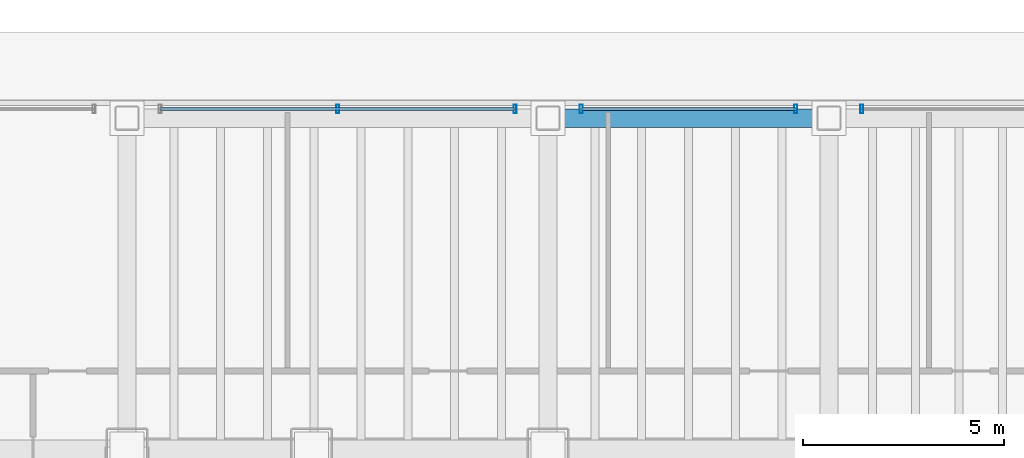
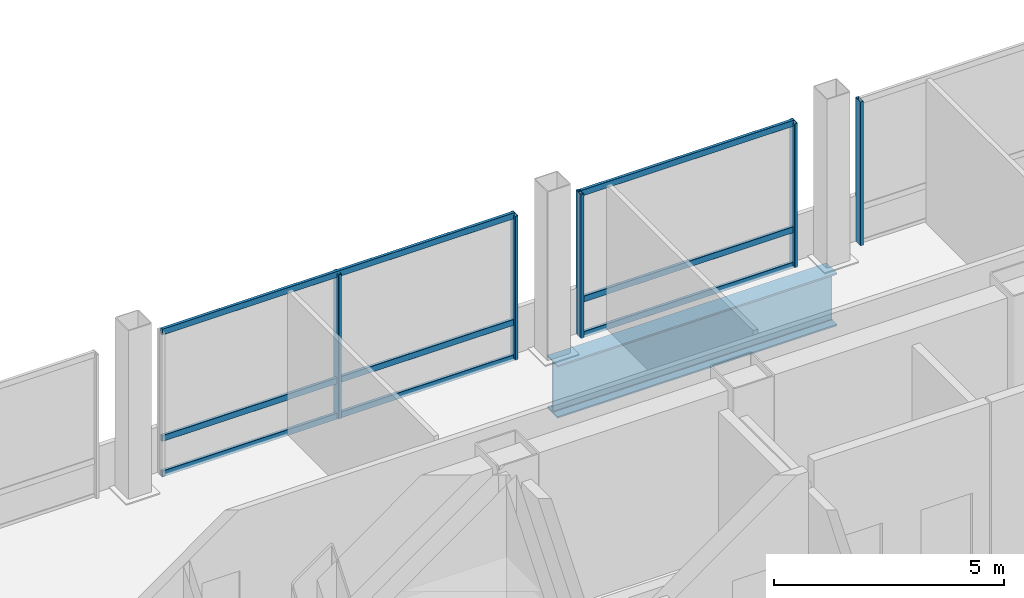
# One storey, part 19 of 34: 11 members, 1 beam, 3 elements without a shape of their own.
"""IFC4 building model written with IfcOpenShell, lengths in metres."""

from ifc_helpers import new_model, si_unit, direction, frame, origin, origin_2d, place, context, subcontext, project, spatial, hollow_rectangle, i_section, extrude, material, material_profile, profile_set, type_object, element, aggregate, save


model = new_model("IFC4")

# Units and contexts
model_context = context("Model", 3, precision=1e-05, world=origin(), true_north=direction((0.0, 1.0)))
body_context = subcontext(model_context, "Body", "Model", "MODEL_VIEW")
ifc_project = project(units=[si_unit("LENGTHUNIT", "METRE"), si_unit("AREAUNIT", "SQUARE_METRE"), si_unit("VOLUMEUNIT", "CUBIC_METRE"), si_unit("PLANEANGLEUNIT", "RADIAN"), si_unit("MASSUNIT", "GRAM", prefix="KILO")], contexts=[model_context])

# Site, building, storey
site_placement = place(None, origin())
site = spatial("IfcSite", under=ifc_project, at=site_placement, CompositionType="ELEMENT")
building_placement = place(site_placement, origin())
building = spatial("IfcBuilding", under=site, at=building_placement, Name="Noeulbin Bourse Tower", CompositionType="ELEMENT")
storey_placement = place(building_placement, frame((0.0, 0.0, 22.0)))
storey = spatial("IfcBuildingStorey", under=building, at=storey_placement, Name="L05", CompositionType="ELEMENT", Elevation=22.0)

# Beam
ifc_material_1 = material(Name="Steel S460", Category="steel")
ifc_material_profile_1 = material_profile(ifc_material_1, i_section(OverallWidth=0.449951171875, OverallDepth=1.39990234375, WebThickness=0.02392578125, FlangeThickness=0.0400390625, FilletRadius=0.02392578125, at=origin_2d()), Name="PG-1400x450x24x40", Category="LoadBearing")
ifc_profile_set_1 = profile_set([ifc_material_profile_1], Name="Steel S460")
beam_type = type_object("IfcBeamType", Name="BM-TRF-1400", PredefinedType="USERDEFINED", material=ifc_profile_set_1)
beam_placement = place(storey_placement, frame((24.0, 46.550048828125, -0.93994140625), z_axis=(1.0, 0.0, 0.0), x_axis=(0.0, 1.0, 0.0)))
element("IfcBeam", 1, at=beam_placement, inside=storey, type_object=beam_type, Name="North Spandrel L05-2", ObjectType="GIRDER", PredefinedType="USERDEFINED", context=body_context, shape_type="SweptSolid", body=[
    extrude(i_section(OverallWidth=0.449951171875, OverallDepth=1.39990234375, WebThickness=0.02392578125, FlangeThickness=0.0400390625, FilletRadius=0.02392578125, at=origin_2d()), origin(), (0.0, 0.0, 1.0), 7.0),
])

# Curtain wall, members
ifc_material_2 = material(Name="Dark Solar-Control Double Glazing", Category="glass")
curtain_wall_type = type_object("IfcCurtainWallType", Name="CW-SYS-2", PredefinedType="NOTDEFINED", material=ifc_material_2)
curtain_wall_1_placement = place(storey_placement, origin())
curtain_wall_1 = element("IfcCurtainWall", 2, at=curtain_wall_1_placement, inside=storey, type_object=curtain_wall_type, Name="Unitised Curtain Wall CW-L05-N-S2", PredefinedType="NOTDEFINED")
ifc_material_3 = material(Name="Anodised Aluminium 6063-T6", Category="aluminium")
ifc_material_profile_2 = material_profile(ifc_material_3, hollow_rectangle(XDim=0.074951171875, YDim=0.219970703125, WallThickness=0.0048828125, InnerFilletRadius=0.00244140625, OuterFilletRadius=0.0048828125, at=origin_2d()), Name="ALU-MULL-75x220x5", Category="LoadBearing")
ifc_profile_set_2 = profile_set([ifc_material_profile_2], Name="Anodised Aluminium 6063-T6")
member_type_1 = type_object("IfcMemberType", Name="CW-SYS-2-MUL", PredefinedType="MULLION", material=ifc_profile_set_2)
member_1_placement = place(storey_placement, frame((18.75, 46.780029296875, -0.02001953125), z_axis=(0.0, 0.0, 1.0), x_axis=(1.0, 0.0, 0.0)))
member_1 = element("IfcMember", 3, at=member_1_placement, type_object=member_type_1, Name="Curtain Wall Mullion CW-L05-N-S2-M01", PredefinedType="MULLION", context=body_context, shape_type="SweptSolid", body=[
    extrude(hollow_rectangle(XDim=0.074951171875, YDim=0.219970703125, WallThickness=0.0048828125, InnerFilletRadius=0.00244140625, OuterFilletRadius=0.0048828125, at=origin_2d()), origin(), (0.0, 0.0, 1.0), 3.820068359375),
])
member_2_placement = place(storey_placement, frame((23.175048828125, 46.780029296875, -0.02001953125), z_axis=(0.0, 0.0, 1.0), x_axis=(1.0, 0.0, 0.0)))
member_2 = element("IfcMember", 4, at=member_2_placement, type_object=member_type_1, Name="Curtain Wall Mullion CW-L05-N-S2-M02", PredefinedType="MULLION", context=body_context, shape_type="SweptSolid", body=[
    extrude(hollow_rectangle(XDim=0.074951171875, YDim=0.219970703125, WallThickness=0.0048828125, InnerFilletRadius=0.00244140625, OuterFilletRadius=0.0048828125, at=origin_2d()), origin(), (0.0, 0.0, 1.0), 3.820068359375),
])

curtain_wall_2_placement = place(storey_placement, origin())
curtain_wall_2 = element("IfcCurtainWall", 5, at=curtain_wall_2_placement, inside=storey, type_object=curtain_wall_type, Name="Unitised Curtain Wall CW-L05-N-S3", PredefinedType="NOTDEFINED")
member_3_placement = place(storey_placement, frame((24.824951171875, 46.780029296875, -0.02001953125), z_axis=(0.0, 0.0, 1.0), x_axis=(1.0, 0.0, 0.0)))
member_3 = element("IfcMember", 6, at=member_3_placement, type_object=member_type_1, Name="Curtain Wall Mullion CW-L05-N-S3-M00", PredefinedType="MULLION", context=body_context, shape_type="SweptSolid", body=[
    extrude(hollow_rectangle(XDim=0.074951171875, YDim=0.219970703125, WallThickness=0.0048828125, InnerFilletRadius=0.00244140625, OuterFilletRadius=0.0048828125, at=origin_2d()), origin(), (0.0, 0.0, 1.0), 3.820068359375),
])
member_4_placement = place(storey_placement, frame((30.175048828125, 46.780029296875, -0.02001953125), z_axis=(0.0, 0.0, 1.0), x_axis=(1.0, 0.0, 0.0)))
member_4 = element("IfcMember", 7, at=member_4_placement, type_object=member_type_1, Name="Curtain Wall Mullion CW-L05-N-S3-M01", PredefinedType="MULLION", context=body_context, shape_type="SweptSolid", body=[
    extrude(hollow_rectangle(XDim=0.074951171875, YDim=0.219970703125, WallThickness=0.0048828125, InnerFilletRadius=0.00244140625, OuterFilletRadius=0.0048828125, at=origin_2d()), origin(), (0.0, 0.0, 1.0), 3.820068359375),
])

# Curtain wall, member
curtain_wall_3_placement = place(storey_placement, origin())
curtain_wall_3 = element("IfcCurtainWall", 8, at=curtain_wall_3_placement, inside=storey, type_object=curtain_wall_type, Name="Unitised Curtain Wall CW-L05-N-S4", PredefinedType="NOTDEFINED")
member_5_placement = place(storey_placement, frame((31.824951171875, 46.780029296875, -0.02001953125), z_axis=(0.0, 0.0, 1.0), x_axis=(1.0, 0.0, 0.0)))
member_5 = element("IfcMember", 9, at=member_5_placement, type_object=member_type_1, Name="Curtain Wall Mullion CW-L05-N-S4-M00", PredefinedType="MULLION", context=body_context, shape_type="SweptSolid", body=[
    extrude(hollow_rectangle(XDim=0.074951171875, YDim=0.219970703125, WallThickness=0.0048828125, InnerFilletRadius=0.00244140625, OuterFilletRadius=0.0048828125, at=origin_2d()), origin(), (0.0, 0.0, 1.0), 3.820068359375),
])
aggregate(curtain_wall_3, [member_5])

# Member
ifc_material_profile_3 = material_profile(ifc_material_3, hollow_rectangle(XDim=0.074951171875, YDim=0.159912109375, WallThickness=0.0048828125, InnerFilletRadius=0.00244140625, OuterFilletRadius=0.0048828125, at=origin_2d()), Name="ALU-TRAN-75x160x5", Category="LoadBearing")
ifc_profile_set_3 = profile_set([ifc_material_profile_3], Name="Anodised Aluminium 6063-T6")
member_type_2 = type_object("IfcMemberType", Name="CW-SYS-2-TRN", PredefinedType="USERDEFINED", material=ifc_profile_set_3)
member_6_placement = place(storey_placement, frame((14.3349609375, 46.780029296875, 0.010009765625), z_axis=(1.0, 0.0, 0.0), x_axis=(0.0, 1.0, 0.0)))
member_6 = element("IfcMember", 10, at=member_6_placement, type_object=member_type_2, Name="Curtain Wall Transom CW-L05-N-S2-T00", ObjectType="TRANSOM", PredefinedType="USERDEFINED", context=body_context, shape_type="SweptSolid", body=[
    extrude(hollow_rectangle(XDim=0.074951171875, YDim=0.159912109375, WallThickness=0.0048828125, InnerFilletRadius=0.00244140625, OuterFilletRadius=0.0048828125, at=origin_2d()), origin(), (0.0, 0.0, 1.0), 8.830078125),
])

member_7_placement = place(storey_placement, frame((14.3349609375, 46.780029296875, 0.949951171875), z_axis=(1.0, 0.0, 0.0), x_axis=(0.0, 1.0, 0.0)))
member_7 = element("IfcMember", 11, at=member_7_placement, type_object=member_type_2, Name="Curtain Wall Transom CW-L05-N-S2-T01", ObjectType="TRANSOM", PredefinedType="USERDEFINED", context=body_context, shape_type="SweptSolid", body=[
    extrude(hollow_rectangle(XDim=0.074951171875, YDim=0.159912109375, WallThickness=0.0048828125, InnerFilletRadius=0.00244140625, OuterFilletRadius=0.0048828125, at=origin_2d()), origin(), (0.0, 0.0, 1.0), 8.830078125),
])

member_8_placement = place(storey_placement, frame((14.3349609375, 46.780029296875, 3.77001953125), z_axis=(1.0, 0.0, 0.0), x_axis=(0.0, 1.0, 0.0)))
member_8 = element("IfcMember", 12, at=member_8_placement, type_object=member_type_2, Name="Curtain Wall Transom CW-L05-N-S2-T02", ObjectType="TRANSOM", PredefinedType="USERDEFINED", context=body_context, shape_type="SweptSolid", body=[
    extrude(hollow_rectangle(XDim=0.074951171875, YDim=0.159912109375, WallThickness=0.0048828125, InnerFilletRadius=0.00244140625, OuterFilletRadius=0.0048828125, at=origin_2d()), origin(), (0.0, 0.0, 1.0), 8.830078125),
])

aggregate(curtain_wall_1, [member_1, member_2, member_6, member_7, member_8])

member_9_placement = place(storey_placement, frame((24.8349609375, 46.780029296875, 0.010009765625), z_axis=(1.0, 0.0, 0.0), x_axis=(0.0, 1.0, 0.0)))
member_9 = element("IfcMember", 13, at=member_9_placement, type_object=member_type_2, Name="Curtain Wall Transom CW-L05-N-S3-T00", ObjectType="TRANSOM", PredefinedType="USERDEFINED", context=body_context, shape_type="SweptSolid", body=[
    extrude(hollow_rectangle(XDim=0.074951171875, YDim=0.159912109375, WallThickness=0.0048828125, InnerFilletRadius=0.00244140625, OuterFilletRadius=0.0048828125, at=origin_2d()), origin(), (0.0, 0.0, 1.0), 5.330078125),
])

member_10_placement = place(storey_placement, frame((24.8349609375, 46.780029296875, 0.949951171875), z_axis=(1.0, 0.0, 0.0), x_axis=(0.0, 1.0, 0.0)))
member_10 = element("IfcMember", 14, at=member_10_placement, type_object=member_type_2, Name="Curtain Wall Transom CW-L05-N-S3-T01", ObjectType="TRANSOM", PredefinedType="USERDEFINED", context=body_context, shape_type="SweptSolid", body=[
    extrude(hollow_rectangle(XDim=0.074951171875, YDim=0.159912109375, WallThickness=0.0048828125, InnerFilletRadius=0.00244140625, OuterFilletRadius=0.0048828125, at=origin_2d()), origin(), (0.0, 0.0, 1.0), 5.330078125),
])

member_11_placement = place(storey_placement, frame((24.8349609375, 46.780029296875, 3.77001953125), z_axis=(1.0, 0.0, 0.0), x_axis=(0.0, 1.0, 0.0)))
member_11 = element("IfcMember", 15, at=member_11_placement, type_object=member_type_2, Name="Curtain Wall Transom CW-L05-N-S3-T02", ObjectType="TRANSOM", PredefinedType="USERDEFINED", context=body_context, shape_type="SweptSolid", body=[
    extrude(hollow_rectangle(XDim=0.074951171875, YDim=0.159912109375, WallThickness=0.0048828125, InnerFilletRadius=0.00244140625, OuterFilletRadius=0.0048828125, at=origin_2d()), origin(), (0.0, 0.0, 1.0), 5.330078125),
])

aggregate(curtain_wall_2, [member_3, member_4, member_9, member_10, member_11])

save(model, "model.ifc")
